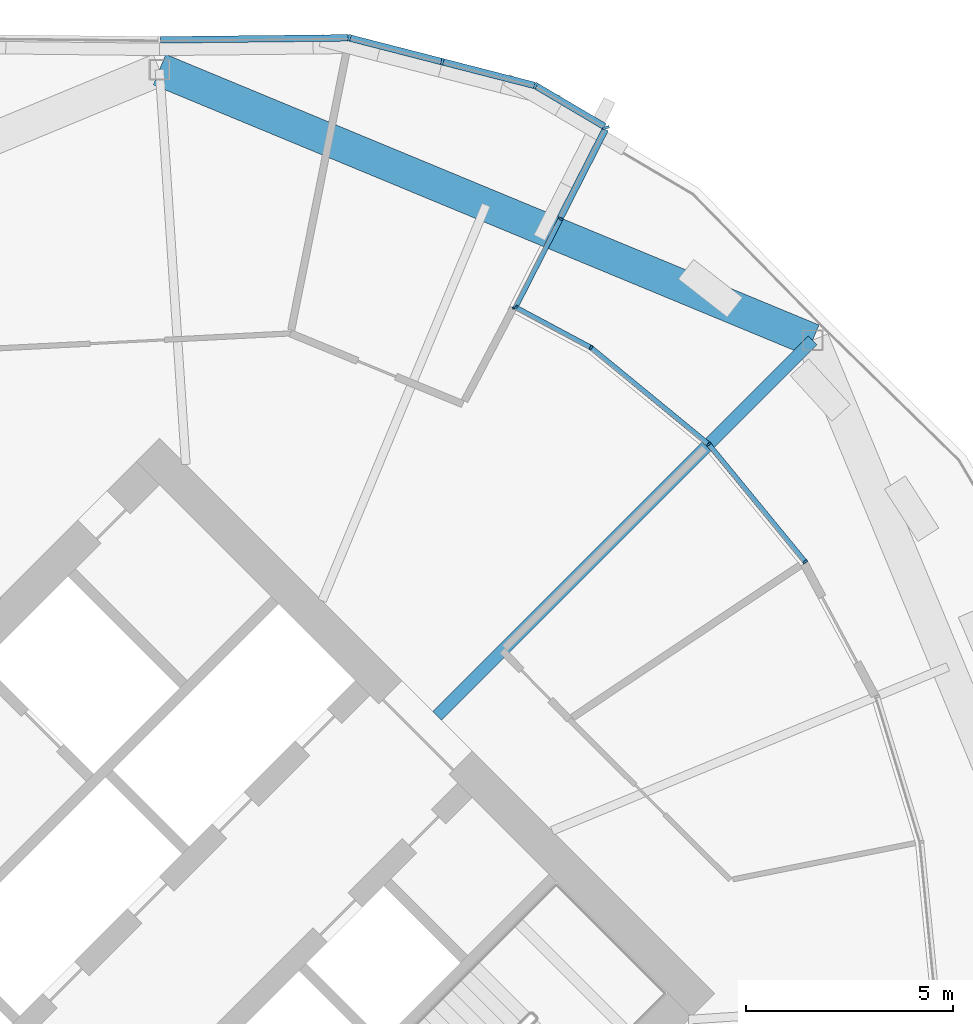
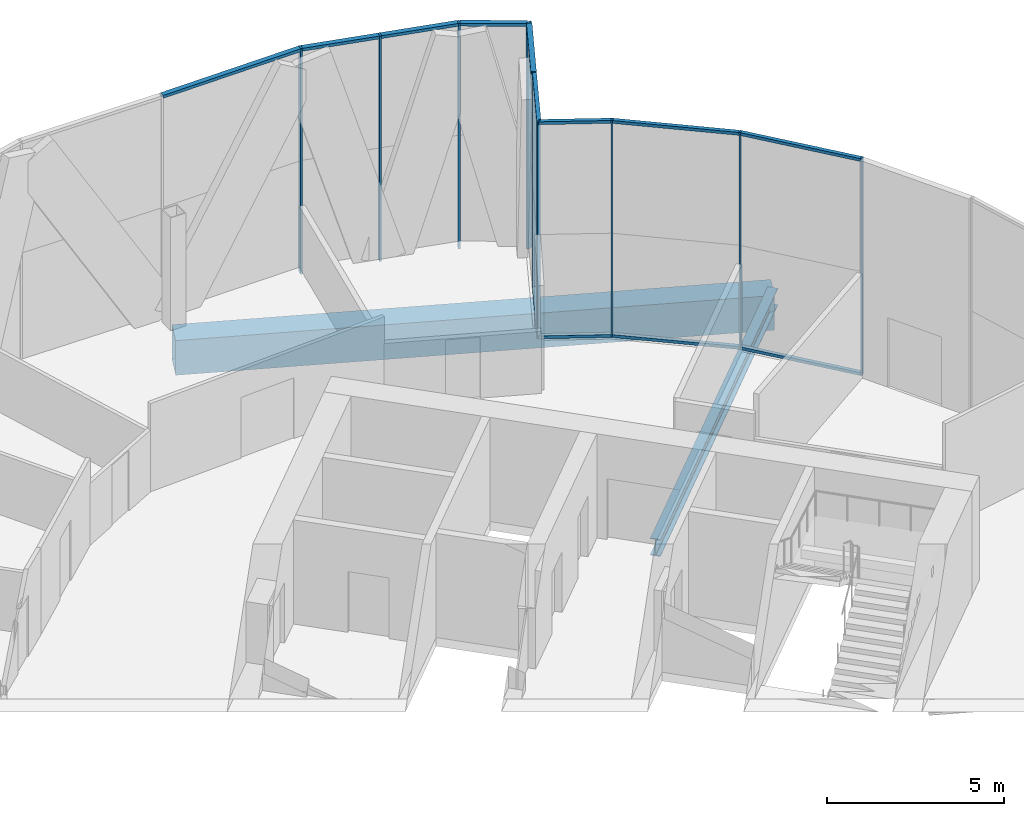
# One storey, part 15 of 27: 22 members, 2 beams, 3 elements without a shape of their own.
"""IFC4 building model written with IfcOpenShell, lengths in metres."""

from ifc_helpers import new_model, si_unit, direction, frame, origin, origin_2d, place, context, subcontext, project, spatial, rectangle, hollow_rectangle, i_section, extrude, material, material_profile, profile_set, type_object, element, aggregate, save


model = new_model("IFC4")

# Units and contexts
model_context = context("Model", 3, precision=1e-05, world=origin(), true_north=direction((0.0, 1.0)))
body_context = subcontext(model_context, "Body", "Model", "MODEL_VIEW")
ifc_project = project(units=[si_unit("LENGTHUNIT", "METRE"), si_unit("AREAUNIT", "SQUARE_METRE"), si_unit("VOLUMEUNIT", "CUBIC_METRE"), si_unit("PLANEANGLEUNIT", "RADIAN"), si_unit("MASSUNIT", "GRAM", prefix="KILO")], contexts=[model_context])

# Site, building, storey
site_placement = place(None, origin())
site = spatial("IfcSite", under=ifc_project, at=site_placement, CompositionType="ELEMENT")
building_placement = place(site_placement, origin())
building = spatial("IfcBuilding", under=site, at=building_placement, Name="Ogive Gate Towers", CompositionType="ELEMENT")
storey_placement = place(building_placement, frame((0.0, 0.0, 123.0)))
storey = spatial("IfcBuildingStorey", under=building, at=storey_placement, Name="L29", CompositionType="ELEMENT", Elevation=123.0)

# Beams
ifc_material_1 = material(Name="Steel SM460", Category="steel")
ifc_material_profile_1 = material_profile(ifc_material_1, hollow_rectangle(XDim=0.800048828125, YDim=1.199951171875, WallThickness=0.050048828125, at=origin_2d()), Name="BX 1200x800x50")
ifc_profile_set_1 = profile_set([ifc_material_profile_1], Name="Steel SM460")
beam_type_1 = type_object("IfcBeamType", Name="Edge girder BX 1200x800x50", PredefinedType="BEAM", material=ifc_profile_set_1)
beam_1_placement = place(storey_placement, frame((51.803955078125, 15.803955078125, -0.89990234375), z_axis=(-0.923880978344, 0.382679941797, 0.0), x_axis=(-0.382679941797, -0.923880978344, 0.0)))
element("IfcBeam", 1, at=beam_1_placement, inside=storey, type_object=beam_type_1, Name="T2/L29/SBM021", PredefinedType="BEAM", context=body_context, shape_type="SweptSolid", body=[
    extrude(hollow_rectangle(XDim=0.800048828125, YDim=1.199951171875, WallThickness=0.050048828125, at=origin_2d()), origin(), (0.0, 0.0, 1.0), 17.10595703125),
])
ifc_material_2 = material(Name="Steel SM355", Category="steel")
ifc_material_profile_2 = material_profile(ifc_material_2, i_section(OverallWidth=0.300048828125, OverallDepth=0.590087890625, WebThickness=0.012939453125, FlangeThickness=0.02490234375, FilletRadius=0.027099609375, at=origin_2d()), Name="HE 600 A")
ifc_profile_set_2 = profile_set([ifc_material_profile_2], Name="Steel SM355")
beam_type_2 = type_object("IfcBeamType", Name="Radial floor beam HE 600 A", PredefinedType="BEAM", material=ifc_profile_set_2)
beam_2_placement = place(storey_placement, frame((42.717529296875, 6.717529296875, -0.594970703125), z_axis=(0.707106781187, 0.707106781187, 0.0), x_axis=(-0.707106781187, 0.707106781187, 0.0)))
element("IfcBeam", 2, at=beam_2_placement, inside=storey, type_object=beam_type_2, Name="T2/L29/SBM009", PredefinedType="BEAM", context=body_context, shape_type="SweptSolid", body=[
    extrude(i_section(OverallWidth=0.300048828125, OverallDepth=0.590087890625, WebThickness=0.012939453125, FlangeThickness=0.02490234375, FilletRadius=0.027099609375, at=origin_2d()), origin(), (0.0, 0.0, 1.0), 12.85009765625),
])

# Curtain wall, members
ifc_material_3 = material(Name="Pale metal aluminium", Category="aluminium")
curtain_wall_type_1 = type_object("IfcCurtainWallType", Name="Sky garden glazing", PredefinedType="NOTDEFINED", material=ifc_material_3)
curtain_wall_1_placement = place(storey_placement, origin())
curtain_wall_1 = element("IfcCurtainWall", 3, at=curtain_wall_1_placement, inside=storey, type_object=curtain_wall_type_1, Name="CW4 T2 ECW01", PredefinedType="NOTDEFINED")
ifc_material_profile_3 = material_profile(ifc_material_3, rectangle(XDim=0.1201171875, YDim=0.050048828125, at=origin_2d()), Name="50 x 120 aluminium box")
ifc_profile_set_3 = profile_set([ifc_material_profile_3], Name="Pale metal aluminium")
member_type_1 = type_object("IfcMemberType", Name="Sky garden glazing mullion 50 x 120", PredefinedType="MULLION", material=ifc_profile_set_3)
member_1_placement = place(storey_placement, frame((49.28955078125, 13.283935546875, 0.0), z_axis=(0.0, 0.0, 1.0), x_axis=(-0.773010453363, -0.634393284164, 0.0)))
member_1 = element("IfcMember", 4, at=member_1_placement, type_object=member_type_1, Name="CW4 mullion", PredefinedType="MULLION", context=body_context, shape_type="SweptSolid", body=[
    extrude(rectangle(XDim=0.1201171875, YDim=0.050048828125, at=origin_2d()), origin(), (0.0, 0.0, 1.0), 7.5),
])
member_2_placement = place(storey_placement, frame((51.621337890625, 10.442626953125, 0.0), z_axis=(0.0, 0.0, 1.0), x_axis=(-0.773010453363, -0.634393284164, 0.0)))
member_2 = element("IfcMember", 5, at=member_2_placement, type_object=member_type_1, Name="CW4 mullion", PredefinedType="MULLION", context=body_context, shape_type="SweptSolid", body=[
    extrude(rectangle(XDim=0.1201171875, YDim=0.050048828125, at=origin_2d()), origin(), (0.0, 0.0, 1.0), 7.5),
])

curtain_wall_2_placement = place(storey_placement, origin())
curtain_wall_2 = element("IfcCurtainWall", 6, at=curtain_wall_2_placement, inside=storey, type_object=curtain_wall_type_1, Name="CW4 T2 ECW02", PredefinedType="NOTDEFINED")
member_3_placement = place(storey_placement, frame((45.70751953125, 18.743896484375, 0.0), z_axis=(0.0, 0.0, 1.0), x_axis=(-0.891006524188, 0.45399049974, 0.0)))
member_3 = element("IfcMember", 7, at=member_3_placement, type_object=member_type_1, Name="CW4 mullion", PredefinedType="MULLION", context=body_context, shape_type="SweptSolid", body=[
    extrude(rectangle(XDim=0.1201171875, YDim=0.050048828125, at=origin_2d()), origin(), (0.0, 0.0, 1.0), 7.5),
])
member_4_placement = place(storey_placement, frame((44.599609375, 16.594482421875, 0.0), z_axis=(0.0, 0.0, 1.0), x_axis=(-0.954041787297, -0.299673602593, 0.0)))
member_4 = element("IfcMember", 8, at=member_4_placement, type_object=member_type_1, Name="CW4 mullion", PredefinedType="MULLION", context=body_context, shape_type="SweptSolid", body=[
    extrude(rectangle(XDim=0.1201171875, YDim=0.050048828125, at=origin_2d()), origin(), (0.0, 0.0, 1.0), 7.5),
])
member_5_placement = place(storey_placement, frame((46.439453125, 15.623779296875, 0.0), z_axis=(0.0, 0.0, 1.0), x_axis=(-0.55557023302, -0.831469612303, 0.0)))
member_5 = element("IfcMember", 9, at=member_5_placement, type_object=member_type_1, Name="CW4 mullion", PredefinedType="MULLION", context=body_context, shape_type="SweptSolid", body=[
    extrude(rectangle(XDim=0.1201171875, YDim=0.050048828125, at=origin_2d()), origin(), (0.0, 0.0, 1.0), 7.5),
])

# Member
ifc_material_profile_4 = material_profile(ifc_material_3, rectangle(XDim=0.1201171875, YDim=0.10009765625, at=origin_2d()), Name="100 x 120 aluminium box")
ifc_profile_set_4 = profile_set([ifc_material_profile_4], Name="Pale metal aluminium")
member_type_2 = type_object("IfcMemberType", Name="Sky garden glazing transom 100 x 120", PredefinedType="USERDEFINED", material=ifc_profile_set_4)
member_6_placement = place(storey_placement, frame((49.305419921875, 13.2646484375, 7.449951171875), z_axis=(0.634417725796, -0.772990393987, 0.0), x_axis=(0.772990393987, 0.634417725796, 0.0)))
member_6 = element("IfcMember", 10, at=member_6_placement, type_object=member_type_2, Name="CW4 transom", ObjectType="TRANSOM", PredefinedType="USERDEFINED", context=body_context, shape_type="SweptSolid", body=[
    extrude(rectangle(XDim=0.1201171875, YDim=0.10009765625, at=origin_2d()), origin(), (0.0, 0.0, 1.0), 3.625732421875),
])

member_7_placement = place(storey_placement, frame((49.305419921875, 13.2646484375, 0.050048828125), z_axis=(0.634417725796, -0.772990393987, 0.0), x_axis=(0.772990393987, 0.634417725796, 0.0)))
member_7 = element("IfcMember", 11, at=member_7_placement, type_object=member_type_2, Name="CW4 transom", ObjectType="TRANSOM", PredefinedType="USERDEFINED", context=body_context, shape_type="SweptSolid", body=[
    extrude(rectangle(XDim=0.1201171875, YDim=0.10009765625, at=origin_2d()), origin(), (0.0, 0.0, 1.0), 3.625732421875),
])

aggregate(curtain_wall_1, [member_1, member_2, member_6, member_7])

member_8_placement = place(storey_placement, frame((45.6962890625, 18.7216796875, 7.449951171875), z_axis=(-0.453965460727, -0.891019281759, 0.0), x_axis=(0.891019281759, -0.453965460727, 0.0)))
member_8 = element("IfcMember", 12, at=member_8_placement, type_object=member_type_2, Name="CW4 transom", ObjectType="TRANSOM", PredefinedType="USERDEFINED", context=body_context, shape_type="SweptSolid", body=[
    extrude(rectangle(XDim=0.1201171875, YDim=0.10009765625, at=origin_2d()), origin(), (0.0, 0.0, 1.0), 2.396484375),
])

member_9_placement = place(storey_placement, frame((45.6962890625, 18.7216796875, 0.050048828125), z_axis=(-0.453965460727, -0.891019281759, 0.0), x_axis=(0.891019281759, -0.453965460727, 0.0)))
member_9 = element("IfcMember", 13, at=member_9_placement, type_object=member_type_2, Name="CW4 transom", ObjectType="TRANSOM", PredefinedType="USERDEFINED", context=body_context, shape_type="SweptSolid", body=[
    extrude(rectangle(XDim=0.1201171875, YDim=0.10009765625, at=origin_2d()), origin(), (0.0, 0.0, 1.0), 2.396484375),
])

member_10_placement = place(storey_placement, frame((44.602294921875, 16.60595703125, 7.449951171875), z_axis=(0.881951260218, -0.471340614206, 0.0), x_axis=(0.471340614206, 0.881951260218, 0.0)))
member_10 = element("IfcMember", 14, at=member_10_placement, type_object=member_type_2, Name="CW4 transom", ObjectType="TRANSOM", PredefinedType="USERDEFINED", context=body_context, shape_type="SweptSolid", body=[
    extrude(rectangle(XDim=0.1201171875, YDim=0.10009765625, at=origin_2d()), origin(), (0.0, 0.0, 1.0), 2.05419921875),
])

member_11_placement = place(storey_placement, frame((44.602294921875, 16.60595703125, 0.050048828125), z_axis=(0.881951260218, -0.471340614206, 0.0), x_axis=(0.471340614206, 0.881951260218, 0.0)))
member_11 = element("IfcMember", 15, at=member_11_placement, type_object=member_type_2, Name="CW4 transom", ObjectType="TRANSOM", PredefinedType="USERDEFINED", context=body_context, shape_type="SweptSolid", body=[
    extrude(rectangle(XDim=0.1201171875, YDim=0.10009765625, at=origin_2d()), origin(), (0.0, 0.0, 1.0), 2.05419921875),
])

member_12_placement = place(storey_placement, frame((46.4619140625, 15.605712890625, 7.449951171875), z_axis=(0.772990393987, -0.634417725796, 0.0), x_axis=(0.634417725796, 0.772990393987, 0.0)))
member_12 = element("IfcMember", 16, at=member_12_placement, type_object=member_type_2, Name="CW4 transom", ObjectType="TRANSOM", PredefinedType="USERDEFINED", context=body_context, shape_type="SweptSolid", body=[
    extrude(rectangle(XDim=0.1201171875, YDim=0.10009765625, at=origin_2d()), origin(), (0.0, 0.0, 1.0), 3.625732421875),
])

member_13_placement = place(storey_placement, frame((46.4619140625, 15.605712890625, 0.050048828125), z_axis=(0.772990393987, -0.634417725796, 0.0), x_axis=(0.634417725796, 0.772990393987, 0.0)))
member_13 = element("IfcMember", 17, at=member_13_placement, type_object=member_type_2, Name="CW4 transom", ObjectType="TRANSOM", PredefinedType="USERDEFINED", context=body_context, shape_type="SweptSolid", body=[
    extrude(rectangle(XDim=0.1201171875, YDim=0.10009765625, at=origin_2d()), origin(), (0.0, 0.0, 1.0), 3.625732421875),
])

aggregate(curtain_wall_2, [member_3, member_4, member_8, member_9, member_5, member_10, member_11, member_12, member_13])

# Curtain wall, members
curtain_wall_type_2 = type_object("IfcCurtainWallType", Name="Tower unitised wall, low zone", PredefinedType="NOTDEFINED", material=ifc_material_3)
curtain_wall_3_placement = place(storey_placement, origin())
curtain_wall_3 = element("IfcCurtainWall", 18, at=curtain_wall_3_placement, inside=storey, type_object=curtain_wall_type_2, Name="CW1 T2 ECW04", PredefinedType="NOTDEFINED")
ifc_material_profile_5 = material_profile(ifc_material_3, rectangle(XDim=0.159912109375, YDim=0.06005859375, at=origin_2d()), Name="60 x 160 aluminium box")
ifc_profile_set_5 = profile_set([ifc_material_profile_5], Name="Pale metal aluminium")
member_type_3 = type_object("IfcMemberType", Name="Tower unitised wall, low zone mullion 60 x 160", PredefinedType="MULLION", material=ifc_profile_set_5)
member_14_placement = place(storey_placement, frame((40.58935546875, 23.119384765625, -0.300048828125), z_axis=(0.0, 0.0, 1.0), x_axis=(-0.12003287687, -0.992769917186, 0.0)))
member_14 = element("IfcMember", 19, at=member_14_placement, type_object=member_type_3, Name="CW1 mullion", PredefinedType="MULLION", context=body_context, shape_type="SweptSolid", body=[
    extrude(rectangle(XDim=0.159912109375, YDim=0.06005859375, at=origin_2d()), origin(), (0.0, 0.0, 1.0), 7.800048828125),
])
member_15_placement = place(storey_placement, frame((42.843017578125, 22.540771484375, -0.300048828125), z_axis=(0.0, 0.0, 1.0), x_axis=(-0.248808220065, -0.968552770699, 0.0)))
member_15 = element("IfcMember", 20, at=member_15_placement, type_object=member_type_3, Name="CW1 mullion", PredefinedType="MULLION", context=body_context, shape_type="SweptSolid", body=[
    extrude(rectangle(XDim=0.159912109375, YDim=0.06005859375, at=origin_2d()), origin(), (0.0, 0.0, 1.0), 7.800048828125),
])
member_16_placement = place(storey_placement, frame((45.0966796875, 21.961669921875, -0.300048828125), z_axis=(0.0, 0.0, 1.0), x_axis=(-0.382683432365, -0.923879532511, 0.0)))
member_16 = element("IfcMember", 21, at=member_16_placement, type_object=member_type_3, Name="CW1 mullion", PredefinedType="MULLION", context=body_context, shape_type="SweptSolid", body=[
    extrude(rectangle(XDim=0.159912109375, YDim=0.06005859375, at=origin_2d()), origin(), (0.0, 0.0, 1.0), 7.800048828125),
])
member_17_placement = place(storey_placement, frame((46.8017578125, 20.947509765625, -0.300048828125), z_axis=(0.0, 0.0, 1.0), x_axis=(-0.96027907642, -0.279041386517, 0.0)))
member_17 = element("IfcMember", 22, at=member_17_placement, type_object=member_type_3, Name="CW1 mullion", PredefinedType="MULLION", context=body_context, shape_type="SweptSolid", body=[
    extrude(rectangle(XDim=0.159912109375, YDim=0.06005859375, at=origin_2d()), origin(), (0.0, 0.0, 1.0), 7.800048828125),
])
ifc_material_profile_6 = material_profile(ifc_material_3, rectangle(XDim=0.159912109375, YDim=0.10009765625, at=origin_2d()), Name="100 x 160 aluminium box")
ifc_profile_set_6 = profile_set([ifc_material_profile_6], Name="Pale metal aluminium")
member_type_4 = type_object("IfcMemberType", Name="Tower unitised wall, low zone transom 100 x 160", PredefinedType="USERDEFINED", material=ifc_profile_set_6)
member_18_placement = place(storey_placement, frame((36.02978515625, 23.0703125, 7.449951171875), z_axis=(0.999941255954, 0.01083903319, 0.0), x_axis=(-0.01083903319, 0.999941255954, 0.0)))
member_18 = element("IfcMember", 23, at=member_18_placement, type_object=member_type_4, Name="CW1 transom", ObjectType="TRANSOM", PredefinedType="USERDEFINED", context=body_context, shape_type="SweptSolid", body=[
    extrude(rectangle(XDim=0.159912109375, YDim=0.10009765625, at=origin_2d()), origin(), (0.0, 0.0, 1.0), 4.52734375),
])
member_19_placement = place(storey_placement, frame((40.62109375, 23.111572265625, 7.449951171875), z_axis=(0.968536017377, -0.248873427756, 0.0), x_axis=(0.248873427756, 0.968536017377, 0.0)))
member_19 = element("IfcMember", 24, at=member_19_placement, type_object=member_type_4, Name="CW1 transom", ObjectType="TRANSOM", PredefinedType="USERDEFINED", context=body_context, shape_type="SweptSolid", body=[
    extrude(rectangle(XDim=0.159912109375, YDim=0.10009765625, at=origin_2d()), origin(), (0.0, 0.0, 1.0), 2.26416015625),
])
member_20_placement = place(storey_placement, frame((42.8720703125, 22.533203125, 7.449951171875), z_axis=(0.968562004633, -0.248772271731, 0.0), x_axis=(0.248772271731, 0.968562004633, 0.0)))
member_20 = element("IfcMember", 25, at=member_20_placement, type_object=member_type_4, Name="CW1 transom", ObjectType="TRANSOM", PredefinedType="USERDEFINED", context=body_context, shape_type="SweptSolid", body=[
    extrude(rectangle(XDim=0.159912109375, YDim=0.10009765625, at=origin_2d()), origin(), (0.0, 0.0, 1.0), 2.26416015625),
])
member_21_placement = place(storey_placement, frame((45.125, 21.945068359375, 7.449951171875), z_axis=(0.860839884477, -0.50887591149, 0.0), x_axis=(0.50887591149, 0.860839884477, 0.0)))
member_21 = element("IfcMember", 26, at=member_21_placement, type_object=member_type_4, Name="CW1 transom", ObjectType="TRANSOM", PredefinedType="USERDEFINED", context=body_context, shape_type="SweptSolid", body=[
    extrude(rectangle(XDim=0.159912109375, YDim=0.10009765625, at=origin_2d()), origin(), (0.0, 0.0, 1.0), 1.907470703125),
])
member_22_placement = place(storey_placement, frame((46.786865234375, 20.906005859375, 7.449951171875), z_axis=(-0.454034590345, -0.890984057529, 0.0), x_axis=(0.890984057529, -0.454034590345, 0.0)))
member_22 = element("IfcMember", 27, at=member_22_placement, type_object=member_type_4, Name="CW1 transom", ObjectType="TRANSOM", PredefinedType="USERDEFINED", context=body_context, shape_type="SweptSolid", body=[
    extrude(rectangle(XDim=0.159912109375, YDim=0.10009765625, at=origin_2d()), origin(), (0.0, 0.0, 1.0), 2.386474609375),
])
aggregate(curtain_wall_3, [member_14, member_18, member_15, member_19, member_16, member_20, member_17, member_21, member_22])

save(model, "model.ifc")
